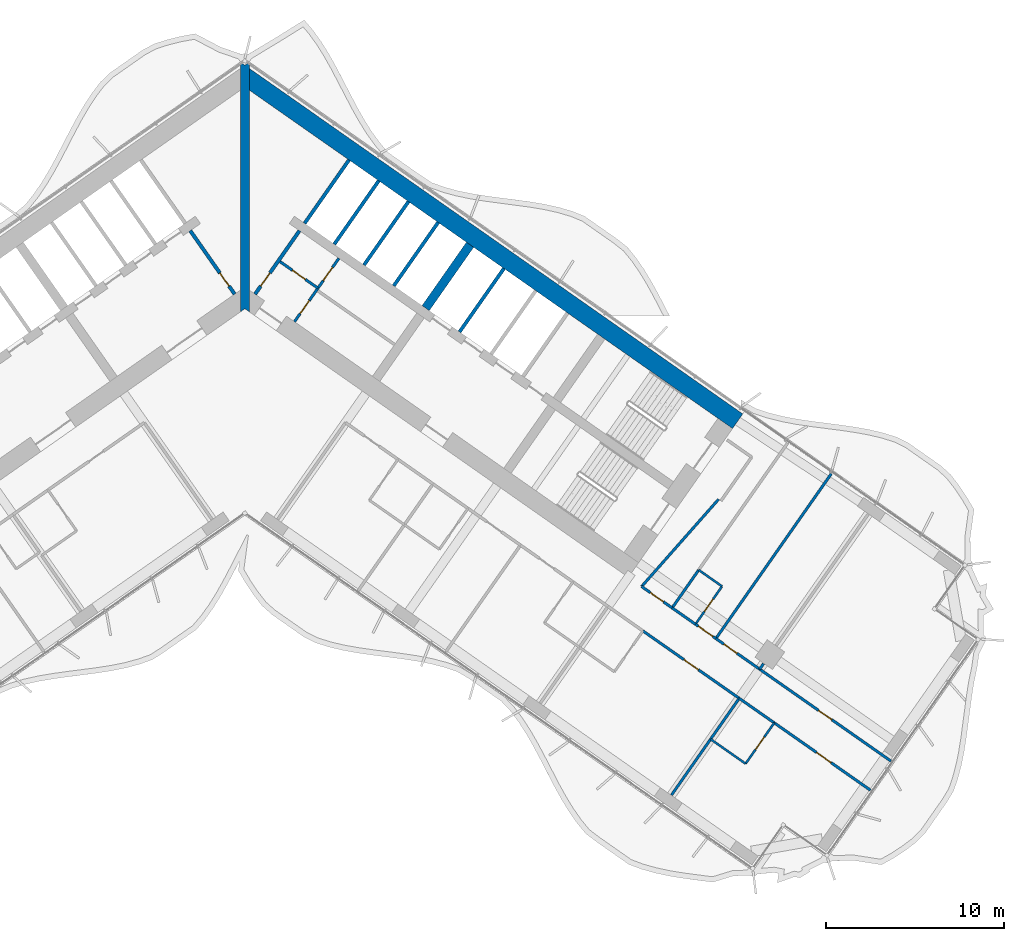
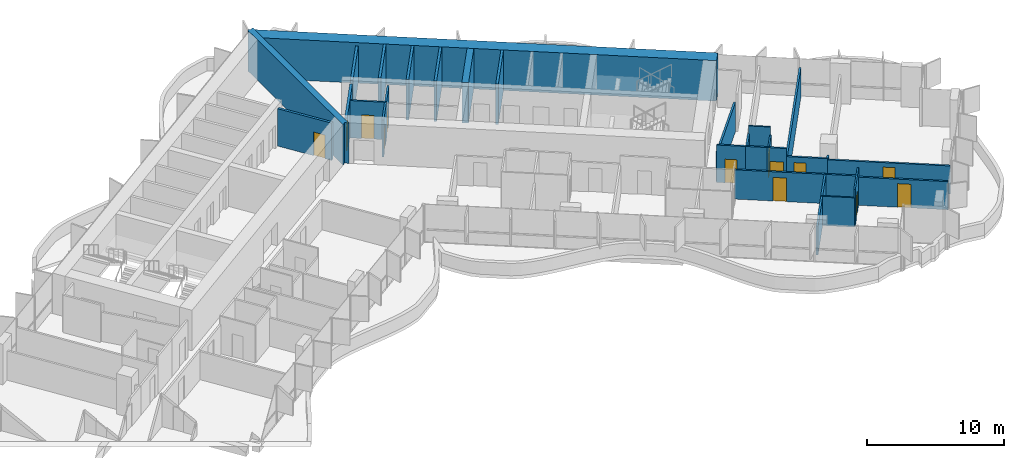
# One storey, part 15 of 23: 30 walls, 13 doors, 13 openings.
"""IFC4 building model written with IfcOpenShell, lengths in metres."""

import ifcopenshell
import ifcopenshell.guid

model = None  # the IFC model being written
_history = None  # IfcOwnerHistory: only IFC2X3 demands one
_inside = {}  # id of a spatial element -> (the spatial element, [elements in it])
_under = {}  # id of a project, library or spatial element -> (it, [spatial elements below it])
_declared = {}  # id of a project -> (the project, [libraries it declares])
_typed = {}  # id of a type object -> (the type object, [elements of that type])
_made_of = {}  # id of a material, layer set ... -> (it, [elements and type objects made of it])


def new_model(schema):
    """Start an empty IFC model of exactly this schema.

    Asked for "IFC4X3", IfcOpenShell would pick the latest addendum, in which some entities
    have other attributes; the version numbers below select the first issue.
    IFC2X3 requires an IfcOwnerHistory on every rooted entity: one is made here for all.
    """
    global model, _history
    if schema == "IFC4X3":
        model = ifcopenshell.file(schema_version=(4, 3, 0, 0))
    else:
        model = ifcopenshell.file(schema=schema)
    _inside.clear()
    _under.clear()
    _declared.clear()
    _typed.clear()
    _made_of.clear()
    _history = None
    if model.schema == "IFC2X3":
        org = make("IfcOrganization", Name="unknown")
        user = make(
            "IfcPersonAndOrganization",
            ThePerson=make("IfcPerson", FamilyName="unknown"),
            TheOrganization=org,
        )
        app = make(
            "IfcApplication",
            ApplicationDeveloper=org,
            Version="unknown",
            ApplicationFullName="unknown",
            ApplicationIdentifier="unknown",
        )
        _history = make(
            "IfcOwnerHistory",
            OwningUser=user,
            OwningApplication=app,
            ChangeAction="ADDED",
            CreationDate=0,
        )
    return model


def make(cls, **values):
    """One entity of the class cls with the attributes given. An attribute that is None is left unset."""
    return model.create_entity(
        cls, **{name: value for name, value in values.items() if value is not None}
    )


def rooted(cls, **values):
    """An entity with a GlobalId (a new one), such as an element, a storey or a relation."""
    return make(cls, GlobalId=ifcopenshell.guid.new(), OwnerHistory=_history, **values)


def si_unit(unit_type, name, prefix=None):
    """IfcSIUnit, for example si_unit("LENGTHUNIT", "METRE", prefix="MILLI")."""
    return make("IfcSIUnit", UnitType=unit_type, Prefix=prefix, Name=name)


def assignment(units):
    """IfcUnitAssignment: the units of a project."""
    return None if units is None else make("IfcUnitAssignment", Units=units)


def point(xyz):
    """IfcCartesianPoint."""
    return None if xyz is None else make("IfcCartesianPoint", Coordinates=xyz)


def direction(xyz):
    """IfcDirection."""
    return None if xyz is None else make("IfcDirection", DirectionRatios=xyz)


def frame(location, z_axis=None, x_axis=None):
    """IfcAxis2Placement3D, a coordinate frame: its origin and axes. An axis left out is left unset."""
    return make(
        "IfcAxis2Placement3D",
        Location=point(location),
        Axis=direction(z_axis),
        RefDirection=direction(x_axis),
    )


def frame_2d(location, x_axis=None):
    """IfcAxis2Placement2D, a coordinate frame in the plane: its origin and x axis."""
    return make(
        "IfcAxis2Placement2D", Location=point(location), RefDirection=direction(x_axis)
    )


def origin():
    """The frame at (0, 0, 0) with its axes left unset."""
    return frame((0.0, 0.0, 0.0))


def place(relative_to, where):
    """IfcLocalPlacement: puts the frame where relative to a parent placement (None: the world)."""
    return make(
        "IfcLocalPlacement", PlacementRelTo=relative_to, RelativePlacement=where
    )


def context(
    kind, dimensions, precision=None, world=None, true_north=None, identifier=None
):
    """IfcGeometricRepresentationContext, for example the 3D "Model" context."""
    return make(
        "IfcGeometricRepresentationContext",
        ContextIdentifier=identifier,
        ContextType=kind,
        CoordinateSpaceDimension=dimensions,
        Precision=precision,
        WorldCoordinateSystem=world,
        TrueNorth=true_north,
    )


def subcontext(parent, identifier, kind, view, scale=None):
    """IfcGeometricRepresentationSubContext, for example "Body" below "Model"."""
    return make(
        "IfcGeometricRepresentationSubContext",
        ContextIdentifier=identifier,
        ContextType=kind,
        ParentContext=parent,
        TargetScale=scale,
        TargetView=view,
    )


def project(units=None, contexts=None):
    """IfcProject with its units and contexts."""
    return rooted(
        "IfcProject",
        Name="project",
        RepresentationContexts=contexts,
        UnitsInContext=assignment(units),
    )


def spatial(cls, under=None, at=None, **own):
    """A site, building, storey or space (cls), placed at a placement, below another one or the project."""
    s = rooted(cls, ObjectPlacement=at, **own)
    if under is not None:
        _under.setdefault(under.id(), (under, []))[1].append(s)
    return s


def polyline(points):
    """IfcPolyline through the points."""
    return make("IfcPolyline", Points=[point(p) for p in points])


def profile(cls, at=None, kind="AREA", **sizes):
    """A parametric profile (cls). Its sizes go by their IFC names, for example OverallWidth=200.0."""
    return make(cls, ProfileType=kind, Position=at, **sizes)


def rectangle(**sizes):
    """IfcRectangleProfileDef."""
    return profile("IfcRectangleProfileDef", **sizes)


def outline(outer, holes=None, kind="AREA"):
    """IfcArbitraryClosedProfileDef: a profile drawn as a closed curve; with holes, ...WithVoids."""
    if holes is None:
        return make("IfcArbitraryClosedProfileDef", ProfileType=kind, OuterCurve=outer)
    return make(
        "IfcArbitraryProfileDefWithVoids",
        ProfileType=kind,
        OuterCurve=outer,
        InnerCurves=holes,
    )


def extrude(swept, where, along, depth):
    """IfcExtrudedAreaSolid: the profile swept, set in the frame where, extruded along a direction by depth."""
    return make(
        "IfcExtrudedAreaSolid",
        SweptArea=swept,
        Position=where,
        ExtrudedDirection=direction(along),
        Depth=depth,
    )


def shape(context_of_items, identifier, shape_type, items):
    """IfcShapeRepresentation: the items that make up one representation, for example the "Body"."""
    return make(
        "IfcShapeRepresentation",
        ContextOfItems=context_of_items,
        RepresentationIdentifier=identifier,
        RepresentationType=shape_type,
        Items=items,
    )


def material(Name=None, Category=None):
    """IfcMaterial."""
    return make("IfcMaterial", Name=Name, Category=Category)


def layer(
    of_material, thickness, ventilated=None, Name=None, Category=None, Priority=None
):
    """IfcMaterialLayer: one layer of a wall or slab, of a material (None: an air gap)."""
    return make(
        "IfcMaterialLayer",
        Material=of_material,
        LayerThickness=thickness,
        IsVentilated=ventilated,
        Name=Name,
        Category=Category,
        Priority=Priority,
    )


def layer_set(layers, Name=None):
    """IfcMaterialLayerSet."""
    return make("IfcMaterialLayerSet", MaterialLayers=layers, LayerSetName=Name)


def made_of(thing, what):
    """Note that an element or type object is made of a material, layer set ...; save() writes the relation."""
    if what is not None:
        _made_of.setdefault(what.id(), (what, []))[1].append(thing)
    return thing


def type_object(cls, material=None, **own):
    """A type object (cls), such as IfcWallType, which elements share."""
    return made_of(rooted(cls, **own), material)


def element(
    cls,
    number,
    at=None,
    inside=None,
    cuts=None,
    type_object=None,
    material=None,
    context=None,
    identifier="Body",
    shape_type=None,
    held_by="IfcProductDefinitionShape",
    body=None,
    shapes=None,
    **own,
):
    """One element of the class cls, such as IfcWall. Its Tag is "e" and its number.

    at: its placement. inside: the storey or other place that contains it. cuts: it is an
    opening in that element (IfcRelVoidsElement). A single representation is given by context,
    identifier, shape_type and body (its items); several are given by shapes. held_by: the class
    of the entity that holds the representations. save() writes the other relations.
    """
    e = rooted(cls, Tag="e%d" % number, ObjectPlacement=at, **own)
    if body is not None:
        shapes = [shape(context, identifier, shape_type, body)]
    if shapes is not None:
        e.Representation = make(held_by, Representations=shapes)
    if inside is not None:
        _inside.setdefault(inside.id(), (inside, []))[1].append(e)
    if cuts is not None:
        rooted(
            "IfcRelVoidsElement", RelatingBuildingElement=cuts, RelatedOpeningElement=e
        )
    if type_object is not None:
        _typed.setdefault(type_object.id(), (type_object, []))[1].append(e)
    return made_of(e, material)


def fill(opening, filler):
    """IfcRelFillsElement: the door or window that sits in an opening."""
    return rooted(
        "IfcRelFillsElement",
        RelatingOpeningElement=opening,
        RelatedBuildingElement=filler,
    )


def aggregate(whole, parts):
    """IfcRelAggregates: a whole, such as a stair, and the parts it consists of."""
    return rooted("IfcRelAggregates", RelatingObject=whole, RelatedObjects=parts)


def save(model, path):
    """Write the relations noted so far, then the file.

    IfcRelAggregates (storeys below a building ...), IfcRelContainedInSpatialStructure (elements
    in a storey), IfcRelDefinesByType, IfcRelAssociatesMaterial and IfcRelDeclares: one each for
    every whole, place, type object, material and project.
    """
    for whole, parts in _under.values():
        aggregate(whole, parts)
    for where, things in _inside.values():
        rooted(
            "IfcRelContainedInSpatialStructure",
            RelatedElements=things,
            RelatingStructure=where,
        )
    for kind, things in _typed.values():
        rooted("IfcRelDefinesByType", RelatedObjects=things, RelatingType=kind)
    for what, things in _made_of.values():
        rooted("IfcRelAssociatesMaterial", RelatedObjects=things, RelatingMaterial=what)
    for by, libraries in _declared.values():
        rooted("IfcRelDeclares", RelatingContext=by, RelatedDefinitions=libraries)
    model.write(path)


model = new_model("IFC4")

# Units and contexts
model_context = context("Model", 3, precision=1e-05, world=origin(), true_north=direction((0.0, 1.0)))
body_context = subcontext(model_context, "Body", "Model", "MODEL_VIEW")
ifc_project = project(units=[si_unit("LENGTHUNIT", "METRE"), si_unit("AREAUNIT", "SQUARE_METRE"), si_unit("VOLUMEUNIT", "CUBIC_METRE"), si_unit("PLANEANGLEUNIT", "RADIAN"), si_unit("MASSUNIT", "GRAM", prefix="KILO")], contexts=[model_context])

# Site, building, storey
site_placement = place(None, origin())
site = spatial("IfcSite", under=ifc_project, at=site_placement, CompositionType="ELEMENT")
building_placement = place(site_placement, origin())
building = spatial("IfcBuilding", under=site, at=building_placement, Name="Tel Ilan Convention Tower", CompositionType="ELEMENT")
storey_placement = place(building_placement, frame((0.0, 0.0, 108.5)))
storey = spatial("IfcBuildingStorey", under=building, at=storey_placement, Name="L23", CompositionType="ELEMENT", Elevation=108.5)

# Wall, openings, doors
ifc_material_1 = material(Name="Gypsum Plasterboard on Steel Stud", Category="steel")
ifc_layer_1 = layer(ifc_material_1, 0.14990234375)
ifc_layer_set_1 = layer_set([ifc_layer_1], Name="Core Room Partition Wall 150 mm EI 60")
wall_type_1 = type_object("IfcWallType", Name="Core Room Partition Wall 150 mm EI 60", PredefinedType="PARTITIONING", material=ifc_layer_set_1)
wall_1_placement = place(storey_placement, frame((2.78515625, -1.9501953125, 0.0), z_axis=(0.0, 0.0, 1.0), x_axis=(0.57356780395, 0.819158088694, 0.0)))
wall_1 = element("IfcWall", 1, at=wall_1_placement, inside=storey, type_object=wall_type_1, Name="L23 core wall wc-v1", PredefinedType="PARTITIONING", context=body_context, shape_type="SweptSolid", body=[
    extrude(rectangle(XDim=4.35009765625, YDim=0.14990234375, at=frame_2d((2.175048828125, 0.0))), origin(), (0.0, 0.0, 1.0), 3.320068359375),
])
opening_1_placement = place(wall_1_placement, frame((0.550048828125, 0.0, 0.0)))
opening_1 = element("IfcOpeningElement", 2, at=opening_1_placement, cuts=wall_1, Name="Opening CD1909", PredefinedType="OPENING", context=body_context, shape_type="SweptSolid", body=[
    extrude(rectangle(XDim=0.89990234375, YDim=2.10009765625, at=frame_2d((0.449951171875, 1.050048828125))), frame((0.0, 0.0849609375, 0.0), z_axis=(0.0, -1.0, 0.0), x_axis=(1.0, 0.0, 0.0)), (0.0, 0.0, 1.0), 0.169921875),
])
opening_2_placement = place(wall_1_placement, frame((2.824951171875, 0.0, 0.0)))
opening_2 = element("IfcOpeningElement", 3, at=opening_2_placement, cuts=wall_1, Name="Opening CD1910", PredefinedType="OPENING", context=body_context, shape_type="SweptSolid", body=[
    extrude(rectangle(XDim=0.89990234375, YDim=2.10009765625, at=frame_2d((0.449951171875, 1.050048828125))), frame((0.0, 0.0849609375, 0.0), z_axis=(0.0, -1.0, 0.0), x_axis=(1.0, 0.0, 0.0)), (0.0, 0.0, 1.0), 0.169921875),
])
ifc_material_2 = material(Name="Laminated Timber Door Leaf", Category="wood")
door_type_1 = type_object("IfcDoorType", Name="Toilet Door 900 x 2100 FD30S", OperationType="NOTDEFINED", PredefinedType="DOOR", material=ifc_material_2)
door_1_placement = place(opening_1_placement, origin())
door_1 = element("IfcDoor", 4, at=door_1_placement, inside=storey, type_object=door_type_1, Name="Women's WC door", OperationType="SINGLE_SWING_RIGHT", OverallHeight=2.10009765625, OverallWidth=0.89990234375, PredefinedType="DOOR", context=body_context, shape_type="SweptSolid", body=[
    extrude(rectangle(XDim=0.89990234375, YDim=2.10009765625, at=frame_2d((0.449951171875, 1.050048828125))), frame((0.0, 0.02490234375, 0.0), z_axis=(0.0, -1.0, 0.0), x_axis=(1.0, 0.0, 0.0)), (0.0, 0.0, 1.0), 0.050048828125),
])
fill(opening_1, door_1)
door_2_placement = place(opening_2_placement, origin())
door_2 = element("IfcDoor", 5, at=door_2_placement, inside=storey, type_object=door_type_1, Name="Men's WC door", OperationType="SINGLE_SWING_RIGHT", OverallHeight=2.10009765625, OverallWidth=0.89990234375, PredefinedType="DOOR", context=body_context, shape_type="SweptSolid", body=[
    extrude(rectangle(XDim=0.89990234375, YDim=2.10009765625, at=frame_2d((0.449951171875, 1.050048828125))), frame((0.0, 0.02490234375, 0.0), z_axis=(0.0, -1.0, 0.0), x_axis=(1.0, 0.0, 0.0)), (0.0, 0.0, 1.0), 0.050048828125),
])
fill(opening_2, door_2)

# Wall, opening, door
wall_2_placement = place(storey_placement, frame((1.974609375, 1.42529296875, 0.0), z_axis=(0.0, 0.0, 1.0), x_axis=(0.819103967032, -0.573645091666, 0.0)))
wall_2 = element("IfcWall", 6, at=wall_2_placement, inside=storey, type_object=wall_type_1, Name="L23 core wall wc-h1", PredefinedType="PARTITIONING", context=body_context, shape_type="SweptSolid", body=[
    extrude(rectangle(XDim=2.599853515625, YDim=0.14990234375, at=frame_2d((1.2998046875, 0.0))), origin(), (0.0, 0.0, 1.0), 3.320068359375),
])
opening_3_placement = place(wall_2_placement, frame((0.85009765625, 0.0, 0.0)))
opening_3 = element("IfcOpeningElement", 7, at=opening_3_placement, cuts=wall_2, Name="Opening CD1908", PredefinedType="OPENING", context=body_context, shape_type="SweptSolid", body=[
    extrude(rectangle(XDim=0.89990234375, YDim=2.10009765625, at=frame_2d((0.449951171875, 1.050048828125))), frame((0.0, 0.0849609375, 0.0), z_axis=(0.0, -1.0, 0.0), x_axis=(1.0, 0.0, 0.0)), (0.0, 0.0, 1.0), 0.169921875),
])
door_3_placement = place(opening_3_placement, origin())
door_3 = element("IfcDoor", 8, at=door_3_placement, inside=storey, type_object=door_type_1, Name="Accessible WC door", OperationType="SINGLE_SWING_RIGHT", OverallHeight=2.10009765625, OverallWidth=0.89990234375, PredefinedType="DOOR", context=body_context, shape_type="SweptSolid", body=[
    extrude(rectangle(XDim=0.89990234375, YDim=2.10009765625, at=frame_2d((0.449951171875, 1.050048828125))), frame((0.0, 0.02490234375, 0.0), z_axis=(0.0, -1.0, 0.0), x_axis=(1.0, 0.0, 0.0)), (0.0, 0.0, 1.0), 0.050048828125),
])
fill(opening_3, door_3)

ifc_material_3 = material(Name="Concrete C30/37", Category="concrete")
ifc_layer_2 = layer(ifc_material_3, 0.199951171875)
ifc_layer_set_2 = layer_set([ifc_layer_2], Name="Core Service Room Wall 200 mm C30/37")
wall_type_2 = type_object("IfcWallType", Name="Core Service Room Wall 200 mm C30/37", PredefinedType="SOLIDWALL", material=ifc_layer_set_2)
wall_3_placement = place(storey_placement, frame((-0.573486328125, -0.401611328125, 0.0), z_axis=(0.0, 0.0, 1.0), x_axis=(-0.57356780395, 0.819158088694, 0.0)))
wall_3 = element("IfcWall", 9, at=wall_3_placement, inside=storey, type_object=wall_type_2, Name="L23 core wall apex-W", PredefinedType="SOLIDWALL", context=body_context, shape_type="SweptSolid", body=[
    extrude(rectangle(XDim=4.35009765625, YDim=0.199951171875, at=frame_2d((2.175048828125, 0.0))), origin(), (0.0, 0.0, 1.0), 3.320068359375),
])
opening_4_placement = place(wall_3_placement, frame((0.550048828125, 0.0, 0.0)))
opening_4 = element("IfcOpeningElement", 10, at=opening_4_placement, cuts=wall_3, Name="Opening CD1902", PredefinedType="OPENING", context=body_context, shape_type="SweptSolid", body=[
    extrude(rectangle(XDim=0.89990234375, YDim=2.10009765625, at=frame_2d((0.449951171875, 1.050048828125))), frame((0.0, 0.10986328125, 0.0), z_axis=(0.0, -1.0, 0.0), x_axis=(1.0, 0.0, 0.0)), (0.0, 0.0, 1.0), 0.219970703125),
])
ifc_material_4 = material(Name="Galvanised Steel Door Leaf", Category="steel")
door_type_2 = type_object("IfcDoorType", Name="Service Room Door 900 x 2100 FD60", OperationType="NOTDEFINED", PredefinedType="DOOR", material=ifc_material_4)
door_4_placement = place(opening_4_placement, origin())
door_4 = element("IfcDoor", 11, at=door_4_placement, inside=storey, type_object=door_type_2, Name="Electrical Room door", OperationType="SINGLE_SWING_RIGHT", OverallHeight=2.10009765625, OverallWidth=0.89990234375, PredefinedType="DOOR", context=body_context, shape_type="SweptSolid", body=[
    extrude(rectangle(XDim=0.89990234375, YDim=2.10009765625, at=frame_2d((0.449951171875, 1.050048828125))), frame((0.0, 0.02490234375, 0.0), z_axis=(0.0, -1.0, 0.0), x_axis=(1.0, 0.0, 0.0)), (0.0, 0.0, 1.0), 0.050048828125),
])
fill(opening_4, door_4)

wall_4_placement = place(storey_placement, frame((0.573486328125, -0.401611328125, 0.0), z_axis=(0.0, 0.0, 1.0), x_axis=(0.57356780395, 0.819158088694, 0.0)))
wall_4 = element("IfcWall", 12, at=wall_4_placement, inside=storey, type_object=wall_type_2, Name="L23 core wall apex-E", PredefinedType="SOLIDWALL", context=body_context, shape_type="SweptSolid", body=[
    extrude(rectangle(XDim=4.35009765625, YDim=0.199951171875, at=frame_2d((2.175048828125, 0.0))), origin(), (0.0, 0.0, 1.0), 3.320068359375),
])
opening_5_placement = place(wall_4_placement, frame((0.550048828125, 0.0, 0.0)))
opening_5 = element("IfcOpeningElement", 13, at=opening_5_placement, cuts=wall_4, Name="Opening CD1901", PredefinedType="OPENING", context=body_context, shape_type="SweptSolid", body=[
    extrude(rectangle(XDim=0.89990234375, YDim=2.10009765625, at=frame_2d((0.449951171875, 1.050048828125))), frame((0.0, 0.10986328125, 0.0), z_axis=(0.0, -1.0, 0.0), x_axis=(1.0, 0.0, 0.0)), (0.0, 0.0, 1.0), 0.219970703125),
])
door_5_placement = place(opening_5_placement, origin())
door_5 = element("IfcDoor", 14, at=door_5_placement, inside=storey, type_object=door_type_2, Name="Store Room door", OperationType="SINGLE_SWING_RIGHT", OverallHeight=2.10009765625, OverallWidth=0.89990234375, PredefinedType="DOOR", context=body_context, shape_type="SweptSolid", body=[
    extrude(rectangle(XDim=0.89990234375, YDim=2.10009765625, at=frame_2d((0.449951171875, 1.050048828125))), frame((0.0, 0.02490234375, 0.0), z_axis=(0.0, -1.0, 0.0), x_axis=(1.0, 0.0, 0.0)), (0.0, 0.0, 1.0), 0.050048828125),
])
fill(opening_5, door_5)

# Walls
wall_5_placement = place(storey_placement, frame((3.355224609375, 3.5712890625, 0.0), z_axis=(0.0, 0.0, 1.0), x_axis=(0.57356780395, 0.819158088694, 0.0)))
element("IfcWall", 15, at=wall_5_placement, inside=storey, type_object=wall_type_2, Name="L23 core wall apex-E-b", PredefinedType="SOLIDWALL", context=body_context, shape_type="SweptSolid", body=[
    extrude(rectangle(XDim=4.35009765625, YDim=0.199951171875, at=frame_2d((2.175048828125, 0.0))), origin(), (0.0, 0.0, 1.0), 3.320068359375),
])
ifc_material_5 = material(Name="Concrete C60/75", Category="concrete")
ifc_layer_3 = layer(ifc_material_5, 1.0)
ifc_layer_set_3 = layer_set([ifc_layer_3], Name="Core Shear Wall 1000 mm C60/75")
wall_type_3 = type_object("IfcWallType", Name="Core Shear Wall 1000 mm C60/75", PredefinedType="SHEAR", material=ifc_layer_set_3)
wall_6_placement = place(storey_placement, frame((-0.036865234375, 11.8671875, 0.0), z_axis=(0.0, 0.0, 1.0), x_axis=(0.819155306259, -0.573571777746, 0.0)))
element("IfcWall", 16, at=wall_6_placement, inside=storey, type_object=wall_type_3, Name="L23 core wall E-back", PredefinedType="SHEAR", context=body_context, shape_type="SweptSolid", body=[
    extrude(outline(polyline([(33.8369140625, 0.5), (0.0, 0.5), (0.7001953125, -0.499755859375), (33.8369140625, -0.5), (33.8369140625, 0.5)])), origin(), (0.0, 0.0, 1.0), 3.60009765625),
])
ifc_material_6 = material(Name="Concrete C60/75", Category="concrete")
ifc_layer_4 = layer(ifc_material_6, 0.5)
ifc_layer_set_4 = layer_set([ifc_layer_4], Name="Core Shear Wall 500 mm C60/75")
wall_type_4 = type_object("IfcWallType", Name="Core Shear Wall 500 mm C60/75", PredefinedType="SHEAR", material=ifc_layer_set_4)
wall_7_placement = place(storey_placement, frame((10.154296875, -1.189208984375, 0.0), z_axis=(0.0, 0.0, 1.0), x_axis=(0.573594173421, 0.819139624372, 0.0)))
element("IfcWall", 17, at=wall_7_placement, inside=storey, type_object=wall_type_4, Name="L23 core wall E-cross1-2", PredefinedType="SHEAR", context=body_context, shape_type="SweptSolid", body=[
    extrude(outline(polyline([(4.349853515625, -0.25), (4.349853515625, 0.25), (-0.000244140625, 0.25), (-0.000244140625, -0.25), (4.349853515625, -0.25)])), origin(), (0.0, 0.0, 1.0), 3.60009765625),
])
wall_8_placement = place(storey_placement, frame((0.0, -1.395751953125, 0.0), z_axis=(0.0, 0.0, 1.0), x_axis=(0.0, 1.0, 0.0)))
element("IfcWall", 18, at=wall_8_placement, inside=storey, type_object=wall_type_4, Name="L23 core wall K-central", PredefinedType="SHEAR", context=body_context, shape_type="SweptSolid", body=[
    extrude(outline(polyline([(0.0, -0.25), (0.175048828125, -0.25), (1.220703125, -0.25), (12.451904296875, -0.25), (13.84765625, -0.25), (13.85693359375, -0.25), (13.96826171875, -0.172119140625), (13.84765625, 0.0), (13.96826171875, 0.172119140625), (13.85693359375, 0.25), (13.84765625, 0.25), (12.451904296875, 0.25), (1.220703125, 0.25), (0.175048828125, 0.25), (0.0, 0.25), (0.175048828125, 0.0), (0.0, -0.25)])), origin(), (0.0, 0.0, 1.0), 3.60009765625),
])

# Wall, opening, door
ifc_material_7 = material(Name="Plasterboard on Steel Studs", Category="steel")
ifc_layer_5 = layer(ifc_material_7, 0.14990234375)
ifc_layer_set_5 = layer_set([ifc_layer_5], Name="Fire-rated Partition 150 EI 60")
wall_type_5 = type_object("IfcWallType", Name="Fire-rated Partition 150 EI 60", PredefinedType="PARTITIONING", material=ifc_layer_set_5)
wall_9_placement = place(storey_placement, frame((22.28369140625, -16.823974609375, 0.0), z_axis=(0.0, 0.0, 1.0), x_axis=(0.819160859995, -0.573563846013, 0.0)))
wall_9 = element("IfcWall", 19, at=wall_9_placement, inside=storey, type_object=wall_type_5, Name="Partition 001", PredefinedType="PARTITIONING", context=body_context, shape_type="SweptSolid", body=[
    extrude(rectangle(XDim=2.098388671875, YDim=0.14990234375, at=frame_2d((1.04931640625, 0.0))), origin(), (0.0, 0.0, 1.0), 3.320068359375),
])
opening_6_placement = place(wall_9_placement, frame((0.59912109375, 0.0, 0.0)))
opening_6 = element("IfcOpeningElement", 20, at=opening_6_placement, cuts=wall_9, Name="Opening L21-029", PredefinedType="OPENING", context=body_context, shape_type="SweptSolid", body=[
    extrude(rectangle(XDim=0.89990234375, YDim=2.10009765625, at=frame_2d((0.449951171875, 1.050048828125))), frame((0.0, 0.0849609375, 0.0), z_axis=(0.0, -1.0, 0.0), x_axis=(1.0, 0.0, 0.0)), (0.0, 0.0, 1.0), 0.169921875),
])
ifc_material_8 = material(Name="Timber Door Leaf in Steel Frame", Category="steel")
door_type_3 = type_object("IfcDoorType", Name="Room Fire Door 900x2100", OperationType="NOTDEFINED", PredefinedType="DOOR", material=ifc_material_8)
door_6_placement = place(opening_6_placement, origin())
door_6 = element("IfcDoor", 21, at=door_6_placement, inside=storey, type_object=door_type_3, Name="Door L21-029", OperationType="SINGLE_SWING_LEFT", OverallHeight=2.10009765625, OverallWidth=0.89990234375, PredefinedType="DOOR", context=body_context, shape_type="SweptSolid", body=[
    extrude(rectangle(XDim=0.89990234375, YDim=2.10009765625, at=frame_2d((0.449951171875, 1.050048828125))), frame((0.0, 0.02490234375, 0.0), z_axis=(0.0, -1.0, 0.0), x_axis=(1.0, 0.0, 0.0)), (0.0, 0.0, 1.0), 0.050048828125),
])
fill(opening_6, door_6)

wall_10_placement = place(storey_placement, frame((25.310791015625, -18.943603515625, 0.0), z_axis=(0.0, 0.0, 1.0), x_axis=(0.819199220913, -0.573509055252, 0.0)))
wall_10 = element("IfcWall", 22, at=wall_10_placement, inside=storey, type_object=wall_type_5, Name="Partition 002", PredefinedType="PARTITIONING", context=body_context, shape_type="SweptSolid", body=[
    extrude(rectangle(XDim=1.403076171875, YDim=0.14990234375, at=frame_2d((0.70166015625, 0.0))), origin(), (0.0, 0.0, 1.0), 3.320068359375),
])
opening_7_placement = place(wall_10_placement, frame((0.200927734375, 0.0, 0.0)))
opening_7 = element("IfcOpeningElement", 23, at=opening_7_placement, cuts=wall_10, Name="Opening L21-031", PredefinedType="OPENING", context=body_context, shape_type="SweptSolid", body=[
    extrude(rectangle(XDim=1.0, YDim=2.10009765625, at=frame_2d((0.5, 1.050048828125))), frame((0.0, 0.0849609375, 0.0), z_axis=(0.0, -1.0, 0.0), x_axis=(1.0, 0.0, 0.0)), (0.0, 0.0, 1.0), 0.169921875),
])
ifc_material_9 = material(Name="Timber Door Leaf in Steel Frame", Category="steel")
door_type_4 = type_object("IfcDoorType", Name="Hotel Room Entrance Fire Door 1000x2100", OperationType="NOTDEFINED", PredefinedType="DOOR", material=ifc_material_9)
door_7_placement = place(opening_7_placement, origin())
door_7 = element("IfcDoor", 24, at=door_7_placement, inside=storey, type_object=door_type_4, Name="Door L21-031", OperationType="SINGLE_SWING_RIGHT", OverallHeight=2.10009765625, OverallWidth=1.0, PredefinedType="DOOR", context=body_context, shape_type="SweptSolid", body=[
    extrude(rectangle(XDim=1.0, YDim=2.10009765625, at=frame_2d((0.5, 1.050048828125))), frame((0.0, 0.02490234375, 0.0), z_axis=(0.0, -1.0, 0.0), x_axis=(1.0, 0.0, 0.0)), (0.0, 0.0, 1.0), 0.050048828125),
])
fill(opening_7, door_7)

# Wall
wall_11_placement = place(storey_placement, frame((23.999267578125, -18.025390625, 0.0), z_axis=(0.0, 0.0, 1.0), x_axis=(0.819189013667, -0.573523634986, 0.0)))
element("IfcWall", 25, at=wall_11_placement, inside=storey, type_object=wall_type_5, Name="Partition 003", PredefinedType="PARTITIONING", context=body_context, shape_type="SweptSolid", body=[
    extrude(rectangle(XDim=1.60400390625, YDim=0.14990234375, at=frame_2d((0.802001953125, 0.0))), origin(), (0.0, 0.0, 1.0), 3.320068359375),
])

# Wall, opening, door
wall_12_placement = place(storey_placement, frame((26.456787109375, -19.74609375, 0.0), z_axis=(0.0, 0.0, 1.0), x_axis=(0.81916700466, -0.573555070134, 0.0)))
wall_12 = element("IfcWall", 26, at=wall_12_placement, inside=storey, type_object=wall_type_5, Name="Partition 004", PredefinedType="PARTITIONING", context=body_context, shape_type="SweptSolid", body=[
    extrude(rectangle(XDim=3.00390625, YDim=0.14990234375, at=frame_2d((1.501953125, 0.0))), origin(), (0.0, 0.0, 1.0), 2.60009765625),
])
opening_8_placement = place(wall_12_placement, frame((0.552001953125, 0.0, 0.0)))
opening_8 = element("IfcOpeningElement", 27, at=opening_8_placement, cuts=wall_12, Name="Opening L21-032", PredefinedType="OPENING", context=body_context, shape_type="SweptSolid", body=[
    extrude(rectangle(XDim=0.89990234375, YDim=2.10009765625, at=frame_2d((0.449951171875, 1.050048828125))), frame((0.0, 0.0849609375, 0.0), z_axis=(0.0, -1.0, 0.0), x_axis=(1.0, 0.0, 0.0)), (0.0, 0.0, 1.0), 0.169921875),
])
door_8_placement = place(opening_8_placement, origin())
door_8 = element("IfcDoor", 28, at=door_8_placement, inside=storey, type_object=door_type_3, Name="Door L21-032", OperationType="SINGLE_SWING_RIGHT", OverallHeight=2.10009765625, OverallWidth=0.89990234375, PredefinedType="DOOR", context=body_context, shape_type="SweptSolid", body=[
    extrude(rectangle(XDim=0.89990234375, YDim=2.10009765625, at=frame_2d((0.449951171875, 1.050048828125))), frame((0.0, 0.02490234375, 0.0), z_axis=(0.0, -1.0, 0.0), x_axis=(1.0, 0.0, 0.0)), (0.0, 0.0, 1.0), 0.050048828125),
])
fill(opening_8, door_8)

wall_13_placement = place(storey_placement, frame((28.914306640625, -21.466796875, 0.0), z_axis=(0.0, 0.0, 1.0), x_axis=(0.81915291695, -0.57357519006, 0.0)))
wall_13 = element("IfcWall", 29, at=wall_13_placement, inside=storey, type_object=wall_type_5, Name="Partition 005", PredefinedType="PARTITIONING", context=body_context, shape_type="SweptSolid", body=[
    extrude(rectangle(XDim=9.001953125, YDim=0.14990234375, at=frame_2d((4.5009765625, 0.0))), origin(), (0.0, 0.0, 1.0), 2.5),
])
opening_9_placement = place(wall_13_placement, frame((4.051025390625, 0.0, 0.0)))
opening_9 = element("IfcOpeningElement", 30, at=opening_9_placement, cuts=wall_13, Name="Opening L21-033", PredefinedType="OPENING", context=body_context, shape_type="SweptSolid", body=[
    extrude(rectangle(XDim=0.89990234375, YDim=2.10009765625, at=frame_2d((0.449951171875, 1.050048828125))), frame((0.0, 0.0849609375, 0.0), z_axis=(0.0, -1.0, 0.0), x_axis=(1.0, 0.0, 0.0)), (0.0, 0.0, 1.0), 0.169921875),
])
door_9_placement = place(opening_9_placement, origin())
door_9 = element("IfcDoor", 31, at=door_9_placement, inside=storey, type_object=door_type_3, Name="Door L21-033", OperationType="SINGLE_SWING_RIGHT", OverallHeight=2.10009765625, OverallWidth=0.89990234375, PredefinedType="DOOR", context=body_context, shape_type="SweptSolid", body=[
    extrude(rectangle(XDim=0.89990234375, YDim=2.10009765625, at=frame_2d((0.449951171875, 1.050048828125))), frame((0.0, 0.02490234375, 0.0), z_axis=(0.0, -1.0, 0.0), x_axis=(1.0, 0.0, 0.0)), (0.0, 0.0, 1.0), 0.050048828125),
])
fill(opening_9, door_9)

wall_14_placement = place(storey_placement, frame((27.7705078125, -23.107421875, 0.0), z_axis=(0.0, 0.0, 1.0), x_axis=(-0.819153746897, 0.573574004767, 0.0)))
wall_14 = element("IfcWall", 32, at=wall_14_placement, inside=storey, type_object=wall_type_5, Name="Partition 012", PredefinedType="PARTITIONING", context=body_context, shape_type="SweptSolid", body=[
    extrude(rectangle(XDim=6.60302734375, YDim=0.14990234375, at=frame_2d((3.301513671875, 0.0))), origin(), (0.0, 0.0, 1.0), 2.60009765625),
])
opening_10_placement = place(wall_14_placement, frame((2.802001953125, 0.0, 0.0)))
opening_10 = element("IfcOpeningElement", 33, at=opening_10_placement, cuts=wall_14, Name="Opening L21-026", PredefinedType="OPENING", context=body_context, shape_type="SweptSolid", body=[
    extrude(rectangle(XDim=1.0, YDim=2.10009765625, at=frame_2d((0.5, 1.050048828125))), frame((0.0, 0.0849609375, 0.0), z_axis=(0.0, -1.0, 0.0), x_axis=(1.0, 0.0, 0.0)), (0.0, 0.0, 1.0), 0.169921875),
])
door_10_placement = place(opening_10_placement, origin())
door_10 = element("IfcDoor", 34, at=door_10_placement, inside=storey, type_object=door_type_4, Name="Door L21-026", OperationType="SINGLE_SWING_LEFT", OverallHeight=2.10009765625, OverallWidth=1.0, PredefinedType="DOOR", context=body_context, shape_type="SweptSolid", body=[
    extrude(rectangle(XDim=1.0, YDim=2.10009765625, at=frame_2d((0.5, 1.050048828125))), frame((0.0, 0.02490234375, 0.0), z_axis=(0.0, -1.0, 0.0), x_axis=(1.0, 0.0, 0.0)), (0.0, 0.0, 1.0), 0.050048828125),
])
fill(opening_10, door_10)

wall_15_placement = place(storey_placement, frame((35.14111328125, -28.268310546875, 0.0), z_axis=(0.0, 0.0, 1.0), x_axis=(-0.819155459934, 0.573571558274, 0.0)))
wall_15 = element("IfcWall", 35, at=wall_15_placement, inside=storey, type_object=wall_type_5, Name="Partition 014", PredefinedType="PARTITIONING", context=body_context, shape_type="SweptSolid", body=[
    extrude(rectangle(XDim=6.60107421875, YDim=0.14990234375, at=frame_2d((3.300537109375, 0.0))), origin(), (0.0, 0.0, 1.0), 2.5),
])
opening_11_placement = place(wall_15_placement, frame((2.699951171875, 0.0, 0.0)))
opening_11 = element("IfcOpeningElement", 36, at=opening_11_placement, cuts=wall_15, Name="Opening L21-028", PredefinedType="OPENING", context=body_context, shape_type="SweptSolid", body=[
    extrude(rectangle(XDim=1.0, YDim=2.10009765625, at=frame_2d((0.5, 1.050048828125))), frame((0.0, 0.0849609375, 0.0), z_axis=(0.0, -1.0, 0.0), x_axis=(1.0, 0.0, 0.0)), (0.0, 0.0, 1.0), 0.169921875),
])
door_11_placement = place(opening_11_placement, origin())
door_11 = element("IfcDoor", 37, at=door_11_placement, inside=storey, type_object=door_type_4, Name="Door L21-028", OperationType="SINGLE_SWING_RIGHT", OverallHeight=2.10009765625, OverallWidth=1.0, PredefinedType="DOOR", context=body_context, shape_type="SweptSolid", body=[
    extrude(rectangle(XDim=1.0, YDim=2.10009765625, at=frame_2d((0.5, 1.050048828125))), frame((0.0, 0.02490234375, 0.0), z_axis=(0.0, -1.0, 0.0), x_axis=(1.0, 0.0, 0.0)), (0.0, 0.0, 1.0), 0.050048828125),
])
fill(opening_11, door_11)

# Walls
wall_16_placement = place(storey_placement, frame((29.736328125, -24.48388671875, 0.0), z_axis=(0.0, 0.0, 1.0), x_axis=(-0.819146032251, 0.573585022335, 0.0)))
element("IfcWall", 38, at=wall_16_placement, inside=storey, type_object=wall_type_5, Name="Partition 015", PredefinedType="PARTITIONING", context=body_context, shape_type="SweptSolid", body=[
    extrude(rectangle(XDim=2.404052734375, YDim=0.14990234375, at=frame_2d((1.2021484375, 0.0))), origin(), (0.0, 0.0, 1.0), 2.60009765625),
])
wall_17_placement = place(storey_placement, frame((25.493408203125, -15.89501953125, 0.0), z_axis=(0.0, 0.0, 1.0), x_axis=(-0.573588285102, -0.819143747577, 0.0)))
element("IfcWall", 39, at=wall_17_placement, inside=storey, type_object=wall_type_5, Name="Partition 035", PredefinedType="PARTITIONING", context=body_context, shape_type="SweptSolid", body=[
    extrude(rectangle(XDim=2.601806640625, YDim=0.14990234375, at=frame_2d((1.30078125, 0.0))), origin(), (0.0, 0.0, 1.0), 2.60009765625),
])
wall_18_placement = place(storey_placement, frame((22.285400390625, -16.8251953125, 0.0), z_axis=(0.0, 0.0, 1.0), x_axis=(0.661551268245, 0.749899939647, 0.0)))
element("IfcWall", 40, at=wall_18_placement, inside=storey, type_object=wall_type_5, Name="Partition 036", PredefinedType="PARTITIONING", context=body_context, shape_type="SweptSolid", body=[
    extrude(rectangle(XDim=6.541015625, YDim=0.14990234375, at=frame_2d((3.2705078125, 0.0))), origin(), (0.0, 0.0, 1.0), 2.60009765625),
])
wall_19_placement = place(storey_placement, frame((32.93994140625, -10.49072265625, 0.0), z_axis=(0.0, 0.0, 1.0), x_axis=(-0.573571089604, -0.819155788095, 0.0)))
element("IfcWall", 41, at=wall_19_placement, inside=storey, type_object=wall_type_5, Name="Partition 041", PredefinedType="PARTITIONING", context=body_context, shape_type="SweptSolid", body=[
    extrude(rectangle(XDim=11.300048828125, YDim=0.14990234375, at=frame_2d((5.64990234375, 0.0))), origin(), (0.0, 0.0, 1.0), 2.60009765625),
])
wall_20_placement = place(storey_placement, frame((29.1337890625, -21.156494140625, 0.0), z_axis=(0.0, 0.0, 1.0), x_axis=(-0.572944929411, -0.819593867633, 0.0)))
element("IfcWall", 42, at=wall_20_placement, inside=storey, type_object=wall_type_5, Name="Partition 043", PredefinedType="PARTITIONING", context=body_context, shape_type="SweptSolid", body=[
    extrude(rectangle(XDim=0.380126953125, YDim=0.14990234375, at=frame_2d((0.18994140625, 0.0))), origin(), (0.0, 0.0, 1.0), 2.60009765625),
])
wall_21_placement = place(storey_placement, frame((26.163330078125, -25.39892578125, 0.0), z_axis=(0.0, 0.0, 1.0), x_axis=(-0.57359919792, -0.819136105995, 0.0)))
element("IfcWall", 43, at=wall_21_placement, inside=storey, type_object=wall_type_5, Name="Partition 058", PredefinedType="PARTITIONING", context=body_context, shape_type="SweptSolid", body=[
    extrude(rectangle(XDim=3.8310546875, YDim=0.14990234375, at=frame_2d((1.91552734375, 0.0))), origin(), (0.0, 0.0, 1.0), 2.60009765625),
])
wall_22_placement = place(storey_placement, frame((27.768798828125, -23.106201171875, 0.0), z_axis=(0.0, 0.0, 1.0), x_axis=(-0.573555899632, -0.819166423871, 0.0)))
element("IfcWall", 44, at=wall_22_placement, inside=storey, type_object=wall_type_5, Name="Partition 059", PredefinedType="PARTITIONING", context=body_context, shape_type="SweptSolid", body=[
    extrude(rectangle(XDim=2.80224609375, YDim=0.14990234375, at=frame_2d((1.401123046875, 0.0))), origin(), (0.0, 0.0, 1.0), 2.60009765625),
])
ifc_material_10 = material(Name="Concrete C30/37", Category="concrete")
ifc_layer_6 = layer(ifc_material_10, 0.199951171875)
ifc_layer_set_6 = layer_set([ifc_layer_6], Name="Lift Shaft Wall 200 mm C30/37")
wall_type_6 = type_object("IfcWallType", Name="Lift Shaft Wall 200 mm C30/37", PredefinedType="SOLIDWALL", material=ifc_layer_set_6)
wall_23_placement = place(storey_placement, frame((5.0244140625, 2.402587890625, 0.0), z_axis=(0.0, 0.0, 1.0), x_axis=(0.573530143085, 0.819184457233, 0.0)))
element("IfcWall", 45, at=wall_23_placement, inside=storey, type_object=wall_type_6, Name="L23 core wall bank-E1-p0", PredefinedType="SOLIDWALL", context=body_context, shape_type="SweptSolid", body=[
    extrude(rectangle(XDim=4.35009765625, YDim=0.199951171875, at=frame_2d((2.175048828125, 0.0))), origin(), (0.0, 0.0, 1.0), 3.60009765625),
])
for number, where, z_axis, x_axis, name in (
    (46, (6.693359375, 1.234130859375, 0.0), (0.0, 0.0, 1.0), (0.573594173421, 0.819139624372, 0.0), "L23 core wall bank-E1-p1"),
    (47, (8.3623046875, 0.0654296875, 0.0), (0.0, 0.0, 1.0), (0.573594173421, 0.819139624372, 0.0), "L23 core wall bank-E1-p2"),
    (48, (12.05859375, -2.52294921875, 0.0), (0.0, 0.0, 1.0), (0.573594173421, 0.819139624372, 0.0), "L23 core wall bank-E2-p0"),
):
    element("IfcWall", number, at=place(storey_placement, frame(where, z_axis=z_axis, x_axis=x_axis)), inside=storey, type_object=wall_type_6, Name=name, PredefinedType="SOLIDWALL", context=body_context, shape_type="SweptSolid", body=[
        extrude(rectangle(XDim=4.349853515625, YDim=0.199951171875, at=frame_2d((2.1748046875, 0.0))), origin(), (0.0, 0.0, 1.0), 3.60009765625),
    ])

# Wall, opening, door
ifc_material_11 = material(Name="Plasterboard on Steel Studs", Category="steel")
ifc_layer_7 = layer(ifc_material_11, 0.1201171875)
ifc_layer_set_7 = layer_set([ifc_layer_7], Name="Moisture-resistant Partition 120")
wall_type_7 = type_object("IfcWallType", Name="Moisture-resistant Partition 120", PredefinedType="PARTITIONING", material=ifc_layer_set_7)
wall_24_placement = place(storey_placement, frame((25.3125, -18.944580078125, 0.0), z_axis=(0.0, 0.0, 1.0), x_axis=(0.573582085028, 0.819148089014, 0.0)))
wall_24 = element("IfcWall", 49, at=wall_24_placement, inside=storey, type_object=wall_type_7, Name="Partition 039", PredefinedType="PARTITIONING", context=body_context, shape_type="SweptSolid", body=[
    extrude(rectangle(XDim=2.599853515625, YDim=0.1201171875, at=frame_2d((1.2998046875, 0.0))), origin(), (0.0, 0.0, 1.0), 2.60009765625),
])
opening_12_placement = place(wall_24_placement, frame((0.875, 0.0, 0.0)))
opening_12 = element("IfcOpeningElement", 50, at=opening_12_placement, cuts=wall_24, Name="Opening L21-030", PredefinedType="OPENING", context=body_context, shape_type="SweptSolid", body=[
    extrude(rectangle(XDim=0.85009765625, YDim=2.050048828125, at=frame_2d((0.425048828125, 1.02490234375))), frame((0.0, 0.070068359375, 0.0), z_axis=(0.0, -1.0, 0.0), x_axis=(1.0, 0.0, 0.0)), (0.0, 0.0, 1.0), 0.14013671875),
])
ifc_material_12 = material(Name="Timber Door Leaf in Steel Frame", Category="steel")
door_type_5 = type_object("IfcDoorType", Name="Bathroom Timber Door 850x2050", OperationType="NOTDEFINED", PredefinedType="DOOR", material=ifc_material_12)
door_12_placement = place(opening_12_placement, origin())
door_12 = element("IfcDoor", 51, at=door_12_placement, inside=storey, type_object=door_type_5, Name="Door L21-030", OperationType="SINGLE_SWING_LEFT", OverallHeight=2.050048828125, OverallWidth=0.85009765625, PredefinedType="DOOR", context=body_context, shape_type="SweptSolid", body=[
    extrude(rectangle(XDim=0.85009765625, YDim=2.050048828125, at=frame_2d((0.425048828125, 1.02490234375))), frame((0.0, 0.02490234375, 0.0), z_axis=(0.0, -1.0, 0.0), x_axis=(1.0, 0.0, 0.0)), (0.0, 0.0, 1.0), 0.050048828125),
])
fill(opening_12, door_12)

# Walls
wall_25_placement = place(storey_placement, frame((26.803466796875, -16.813720703125, 0.0), z_axis=(0.0, 0.0, 1.0), x_axis=(-0.819059844958, 0.573708088123, 0.0)))
element("IfcWall", 52, at=wall_25_placement, inside=storey, type_object=wall_type_7, Name="Partition 040", PredefinedType="PARTITIONING", context=body_context, shape_type="SweptSolid", body=[
    extrude(rectangle(XDim=1.60009765625, YDim=0.1201171875, at=frame_2d((0.800048828125, 0.0))), origin(), (0.0, 0.0, 1.0), 3.320068359375),
])
wall_26_placement = place(storey_placement, frame((26.162109375, -25.400634765625, 0.0), z_axis=(0.0, 0.0, 1.0), x_axis=(0.819188907105, -0.573523787192, 0.0)))
element("IfcWall", 53, at=wall_26_placement, inside=storey, type_object=wall_type_7, Name="Partition 060", PredefinedType="PARTITIONING", context=body_context, shape_type="SweptSolid", body=[
    extrude(rectangle(XDim=2.39990234375, YDim=0.1201171875, at=frame_2d((1.199951171875, 0.0))), origin(), (0.0, 0.0, 1.0), 2.60009765625),
])

# Wall, opening, door
wall_27_placement = place(storey_placement, frame((28.12939453125, -26.777099609375, 0.0), z_axis=(0.0, 0.0, 1.0), x_axis=(0.573608623498, 0.819129505664, 0.0)))
wall_27 = element("IfcWall", 54, at=wall_27_placement, inside=storey, type_object=wall_type_7, Name="Partition 061", PredefinedType="PARTITIONING", context=body_context, shape_type="SweptSolid", body=[
    extrude(rectangle(XDim=2.800048828125, YDim=0.1201171875, at=frame_2d((1.39990234375, 0.0))), origin(), (0.0, 0.0, 1.0), 3.320068359375),
])
opening_13_placement = place(wall_27_placement, frame((0.97509765625, 0.0, 0.0)))
opening_13 = element("IfcOpeningElement", 55, at=opening_13_placement, cuts=wall_27, Name="Opening L21-027", PredefinedType="OPENING", context=body_context, shape_type="SweptSolid", body=[
    extrude(rectangle(XDim=0.85009765625, YDim=2.050048828125, at=frame_2d((0.425048828125, 1.02490234375))), frame((0.0, 0.070068359375, 0.0), z_axis=(0.0, -1.0, 0.0), x_axis=(1.0, 0.0, 0.0)), (0.0, 0.0, 1.0), 0.14013671875),
])
door_13_placement = place(opening_13_placement, origin())
door_13 = element("IfcDoor", 56, at=door_13_placement, inside=storey, type_object=door_type_5, Name="Door L21-027", OperationType="SINGLE_SWING_LEFT", OverallHeight=2.050048828125, OverallWidth=0.85009765625, PredefinedType="DOOR", context=body_context, shape_type="SweptSolid", body=[
    extrude(rectangle(XDim=0.85009765625, YDim=2.050048828125, at=frame_2d((0.425048828125, 1.02490234375))), frame((0.0, 0.02490234375, 0.0), z_axis=(0.0, -1.0, 0.0), x_axis=(1.0, 0.0, 0.0)), (0.0, 0.0, 1.0), 0.050048828125),
])
fill(opening_13, door_13)

save(model, "model.ifc")
